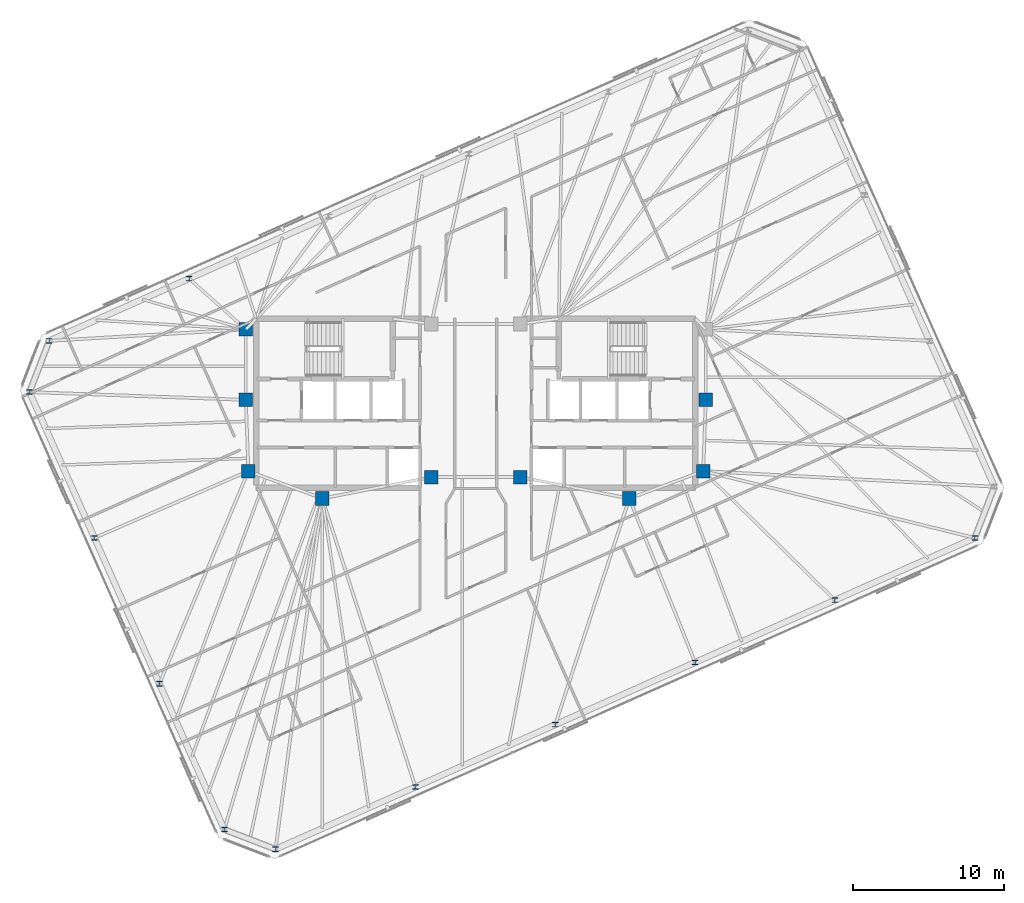
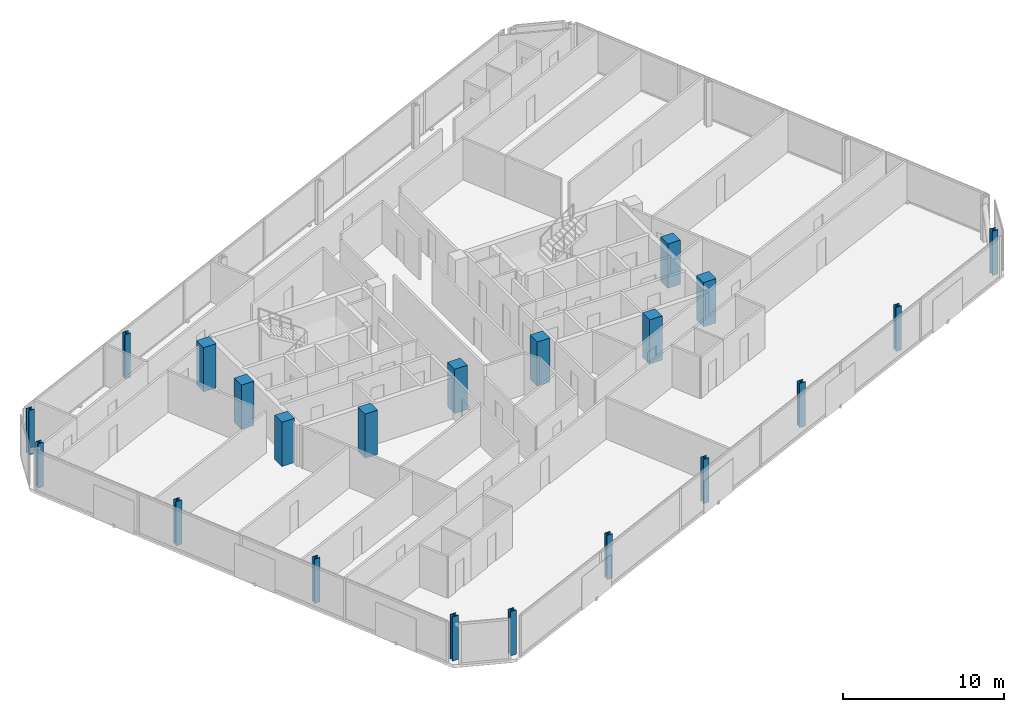
# One storey, part 1 of 18: 21 columns.
"""IFC4 building model written with IfcOpenShell, lengths in metres."""

from ifc_helpers import new_model, si_unit, direction, frame, origin, origin_2d, place, context, subcontext, project, spatial, rectangle, i_section, extrude, material, material_profile, profile_set, type_object, element, save


model = new_model("IFC4")

# Units and contexts
model_context = context("Model", 3, precision=1e-05, world=origin(), true_north=direction((0.0, 1.0)))
body_context = subcontext(model_context, "Body", "Model", "MODEL_VIEW")
ifc_project = project(units=[si_unit("LENGTHUNIT", "METRE"), si_unit("AREAUNIT", "SQUARE_METRE"), si_unit("VOLUMEUNIT", "CUBIC_METRE"), si_unit("PLANEANGLEUNIT", "RADIAN"), si_unit("MASSUNIT", "GRAM", prefix="KILO")], contexts=[model_context])

# Site, building, storey
site_placement = place(None, origin())
site = spatial("IfcSite", under=ifc_project, at=site_placement, CompositionType="ELEMENT")
building_placement = place(site_placement, origin())
building = spatial("IfcBuilding", under=site, at=building_placement, Name="Menara Jurai Vektor", CompositionType="ELEMENT")
storey_placement = place(building_placement, frame((0.0, 0.0, 258.85009765625)))
storey = spatial("IfcBuildingStorey", under=building, at=storey_placement, Name="L69", CompositionType="ELEMENT", Elevation=258.85009765625)

# Columns
ifc_material_1 = material(Name="Concrete C50/60", Category="concrete")
ifc_material_profile_1 = material_profile(ifc_material_1, rectangle(XDim=0.89990234375, YDim=0.89990234375, at=origin_2d()), Name="RC 900x900")
ifc_profile_set_1 = profile_set([ifc_material_profile_1], Name="Concrete C50/60")
column_type_1 = type_object("IfcColumnType", Name="STR-COL-RC900", PredefinedType="COLUMN", material=ifc_profile_set_1)
for number, where, z_axis, x_axis, name in (
    (1, (-15.25, 4.89990234375, 0.0), (0.0, 0.0, 1.0), (1.0, 0.0, 0.0), "Core Spine Column CW-NW L69"),
    (2, (-15.25, 0.219970703125, 0.0), (0.0, 0.0, 1.0), (1.0, 0.0, 0.0), "Core Spine Column CW-WM L69"),
    (3, (-15.080078125, -4.5, 0.0), (0.0, 0.0, 1.0), (1.0, 0.0, 0.0), "Core Spine Column CW-SW L69"),
    (4, (-10.179931640625, -6.320068359375, 0.0), (0.0, 0.0, 1.0), (1.0, 0.0, 0.0), "Core Spine Column CW-SM L69"),
    (5, (-2.949951171875, -4.89990234375, 0.0), (0.0, 0.0, 1.0), (1.0, 0.0, 0.0), "Core Spine Column CW-SE L69"),
    (6, (15.25, 0.219970703125, 0.0), (0.0, 0.0, 1.0), (1.0, 0.0, 0.0), "Core Spine Column CE-EM L69"),
    (7, (15.080078125, -4.5, 0.0), (0.0, 0.0, 1.0), (1.0, 0.0, 0.0), "Core Spine Column CE-SE L69"),
    (8, (10.179931640625, -6.320068359375, 0.0), (0.0, 0.0, 1.0), (1.0, 0.0, 0.0), "Core Spine Column CE-SM L69"),
    (9, (2.949951171875, -4.89990234375, 0.0), (0.0, 0.0, 1.0), (1.0, 0.0, 0.0), "Core Spine Column CE-SW L69"),
):
    element("IfcColumn", number, at=place(storey_placement, frame(where, z_axis=z_axis, x_axis=x_axis)), inside=storey, type_object=column_type_1, Name=name, PredefinedType="COLUMN", context=body_context, shape_type="SweptSolid", body=[
        extrude(rectangle(XDim=0.89990234375, YDim=0.89990234375, at=origin_2d()), origin(), (0.0, 0.0, 1.0), 3.349853515625),
    ])
ifc_material_2 = material(Name="Steel S460", Category="steel")
ifc_material_profile_2 = material_profile(ifc_material_2, i_section(OverallWidth=0.40087890625, OverallDepth=0.3349609375, WebThickness=0.035888671875, FlangeThickness=0.05810546875, FilletRadius=0.014892578125, at=origin_2d()), Name="HD 400x463")
ifc_profile_set_2 = profile_set([ifc_material_profile_2], Name="Steel S460")
column_type_2 = type_object("IfcColumnType", Name="STR-EXO-BLK5", PredefinedType="COLUMN", material=ifc_profile_set_2)
for number, where, z_axis, x_axis, name in (
    (10, (-13.279541015625, -29.576904296875, 0.0), (0.0, 0.0, 1.0), (1.0, 0.0, 0.0), "Exoskeleton Column BLK5-S1 L69"),
    (11, (-4.006103515625, -25.4482421875, 0.0), (0.0, 0.0, 1.0), (1.0, 0.0, 0.0), "Exoskeleton Column BLK5-S2 L69"),
    (12, (5.267578125, -21.3193359375, 0.0), (0.0, 0.0, 1.0), (1.0, 0.0, 0.0), "Exoskeleton Column BLK5-S3 L69"),
    (13, (14.541015625, -17.1904296875, 0.0), (0.0, 0.0, 1.0), (1.0, 0.0, 0.0), "Exoskeleton Column BLK5-S4 L69"),
    (14, (23.814453125, -13.061767578125, 0.0), (0.0, 0.0, 1.0), (1.0, 0.0, 0.0), "Exoskeleton Column BLK5-S5 L69"),
    (15, (33.088134765625, -8.932861328125, 0.0), (0.0, 0.0, 1.0), (1.0, 0.0, 0.0), "Exoskeleton Column BLK5-S6 L69"),
    (16, (-19.0146484375, 8.26171875, 0.0), (0.0, 0.0, 1.0), (1.0, 0.0, 0.0), "Exoskeleton Column BLK5-N5 L69"),
    (17, (-28.2880859375, 4.1328125, 0.0), (0.0, 0.0, 1.0), (1.0, 0.0, 0.0), "Exoskeleton Column BLK5-N6 L69"),
    (18, (-29.591796875, 0.73681640625, 0.0), (0.0, 0.0, 1.0), (1.0, 0.0, 0.0), "Exoskeleton Column BLK5-W1 L69"),
    (19, (-25.286376953125, -8.933349609375, 0.0), (0.0, 0.0, 1.0), (1.0, 0.0, 0.0), "Exoskeleton Column BLK5-W2 L69"),
    (20, (-20.98095703125, -18.603271484375, 0.0), (0.0, 0.0, 1.0), (1.0, 0.0, 0.0), "Exoskeleton Column BLK5-W3 L69"),
    (21, (-16.675537109375, -28.2734375, 0.0), (0.0, 0.0, 1.0), (1.0, 0.0, 0.0), "Exoskeleton Column BLK5-W4 L69"),
):
    element("IfcColumn", number, at=place(storey_placement, frame(where, z_axis=z_axis, x_axis=x_axis)), inside=storey, type_object=column_type_2, Name=name, PredefinedType="COLUMN", context=body_context, shape_type="SweptSolid", body=[
        extrude(i_section(OverallWidth=0.40087890625, OverallDepth=0.3349609375, WebThickness=0.035888671875, FlangeThickness=0.05810546875, FilletRadius=0.014892578125, at=origin_2d()), origin(), (0.0, 0.0, 1.0), 3.349853515625),
    ])

save(model, "model.ifc")
